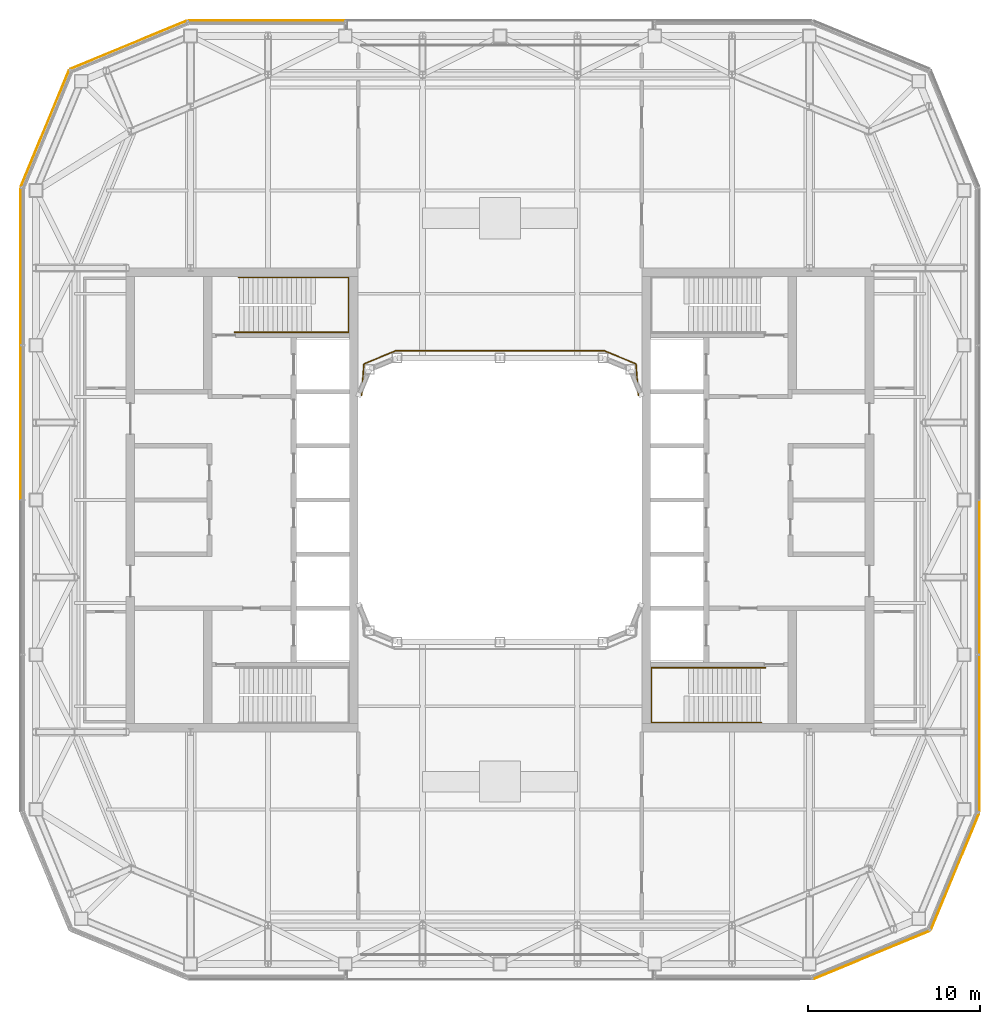
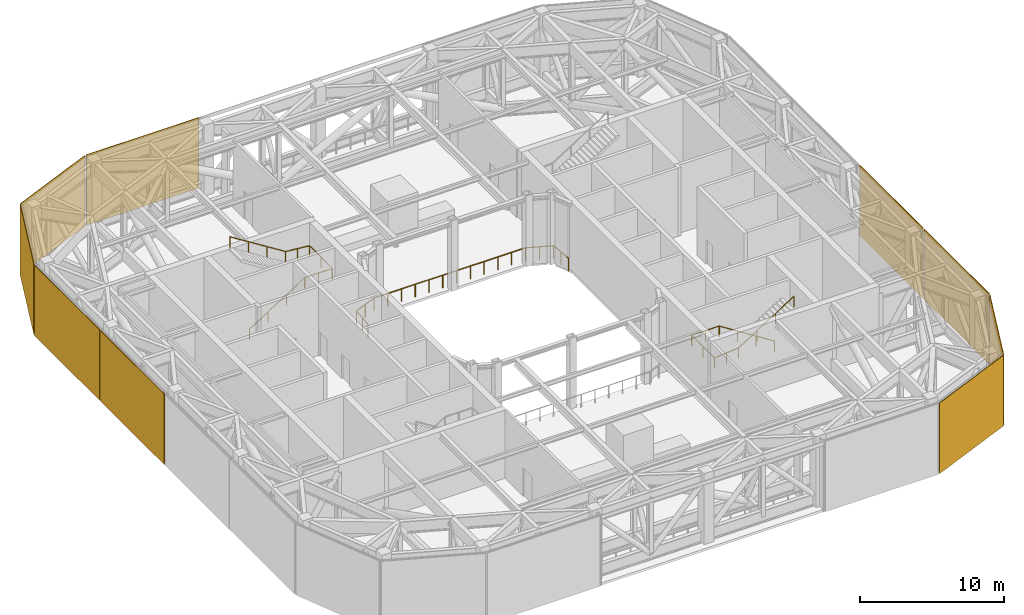
# One storey, part 19 of 21: 9 coverings, 3 railings.
"""IFC4 building model written with IfcOpenShell, lengths in metres."""

from ifc_helpers import new_model, si_unit, direction, frame, origin, origin_2d, place, context, subcontext, project, spatial, rectangle, circle, extrude, material, layer, layer_set, type_object, element, save


model = new_model("IFC4")

# Units and contexts
model_context = context("Model", 3, precision=1e-05, world=origin(), true_north=direction((0.0, 1.0)))
body_context = subcontext(model_context, "Body", "Model", "MODEL_VIEW")
ifc_project = project(units=[si_unit("LENGTHUNIT", "METRE"), si_unit("AREAUNIT", "SQUARE_METRE"), si_unit("VOLUMEUNIT", "CUBIC_METRE"), si_unit("PLANEANGLEUNIT", "RADIAN"), si_unit("MASSUNIT", "GRAM", prefix="KILO")], contexts=[model_context])

# Site, building, storey
site_placement = place(None, origin())
site = spatial("IfcSite", under=ifc_project, at=site_placement, CompositionType="ELEMENT")
building_placement = place(site_placement, origin())
building = spatial("IfcBuilding", under=site, at=building_placement, Name="Siwar Civic Tower", CompositionType="ELEMENT")
storey_placement = place(building_placement, frame((0.0, 0.0, 278.199951171875)))
storey = spatial("IfcBuildingStorey", under=building, at=storey_placement, Name="L60", CompositionType="ELEMENT", Elevation=278.199951171875)

# Railings
ifc_material_1 = material(Name="Stainless steel", Category="steel")
railing_type_1 = type_object("IfcRailingType", Name="CORE-STAIR-HANDRAIL", PredefinedType="HANDRAIL", material=ifc_material_1)
railing_1_placement = place(storey_placement, frame((-15.449951171875, 9.758056640625, 0.176513671875)))
element("IfcRailing", 1, at=railing_1_placement, inside=storey, type_object=railing_type_1, Name="Stair handrail ST1", PredefinedType="HANDRAIL", context=body_context, shape_type="SweptSolid", body=[
    extrude(circle(Radius=0.02001953125, at=origin_2d()), frame((0.0, 0.0, 0.8798828125), z_axis=(0.843278542751, 0.0, 0.537476789579), x_axis=(0.0, 1.0, 0.0)), (0.0, 0.0, 1.0), 5.253173828125),
    extrude(circle(Radius=0.02001953125, at=origin_2d()), frame((4.429931640625, 0.0, 3.703369140625), z_axis=(1.0, 0.0, 0.0), x_axis=(0.0, 1.0, 0.0)), (0.0, 0.0, 1.0), 2.2119140625),
    extrude(circle(Radius=0.02001953125, at=origin_2d()), frame((6.641845703125, 0.0, 3.703369140625), z_axis=(0.0, 1.0, 0.0), x_axis=(-1.0, 0.0, 0.0)), (0.0, 0.0, 1.0), 3.183837890625),
    extrude(circle(Radius=0.02001953125, at=origin_2d()), frame((6.641845703125, 3.183837890625, 3.703369140625), z_axis=(-0.995765067396, 0.0, 0.091934381781), x_axis=(0.0, -1.0, 0.0)), (0.0, 0.0, 1.0), 1.919921875),
    extrude(circle(Radius=0.02001953125, at=origin_2d()), frame((4.72998046875, 3.183837890625, 3.8798828125), z_axis=(-0.845997938375, 0.0, 0.533186166611), x_axis=(0.0, -1.0, 0.0)), (0.0, 0.0, 1.0), 5.29541015625),
    extrude(circle(Radius=0.02001953125, at=origin_2d()), origin(), (0.0, 0.0, 1.0), 0.85986328125),
    extrude(circle(Radius=0.02001953125, at=origin_2d()), frame((1.4765625, 0.0, 0.941162109375)), (0.0, 0.0, 1.0), 0.85986328125),
    extrude(circle(Radius=0.02001953125, at=origin_2d()), frame((2.953369140625, 0.0, 1.88232421875)), (0.0, 0.0, 1.0), 0.85986328125),
    extrude(circle(Radius=0.02001953125, at=origin_2d()), frame((4.429931640625, 0.0, 2.823486328125)), (0.0, 0.0, 1.0), 0.85986328125),
    extrude(circle(Radius=0.02001953125, at=origin_2d()), frame((5.535888671875, 0.0, 2.823486328125)), (0.0, 0.0, 1.0), 0.85986328125),
    extrude(circle(Radius=0.02001953125, at=origin_2d()), frame((6.641845703125, 0.0, 2.823486328125)), (0.0, 0.0, 1.0), 0.85986328125),
    extrude(circle(Radius=0.02001953125, at=origin_2d()), frame((6.641845703125, 1.591796875, 2.823486328125)), (0.0, 0.0, 1.0), 0.85986328125),
    extrude(circle(Radius=0.02001953125, at=origin_2d()), frame((6.641845703125, 3.183837890625, 2.823486328125)), (0.0, 0.0, 1.0), 0.85986328125),
    extrude(circle(Radius=0.02001953125, at=origin_2d()), frame((5.68603515625, 3.183837890625, 2.91162109375)), (0.0, 0.0, 1.0), 0.85986328125),
    extrude(circle(Radius=0.02001953125, at=origin_2d()), frame((4.72998046875, 3.183837890625, 3.0)), (0.0, 0.0, 1.0), 0.85986328125),
    extrude(circle(Radius=0.02001953125, at=origin_2d()), frame((3.236572265625, 3.183837890625, 3.941162109375)), (0.0, 0.0, 1.0), 0.85986328125),
    extrude(circle(Radius=0.02001953125, at=origin_2d()), frame((1.743408203125, 3.183837890625, 4.88232421875)), (0.0, 0.0, 1.0), 0.85986328125),
    extrude(circle(Radius=0.02001953125, at=origin_2d()), frame((0.25, 3.183837890625, 5.823486328125)), (0.0, 0.0, 1.0), 0.85986328125),
])
railing_2_placement = place(storey_placement, frame((15.449951171875, -9.758056640625, 0.176513671875)))
element("IfcRailing", 2, at=railing_2_placement, inside=storey, type_object=railing_type_1, Name="Stair handrail ST4", PredefinedType="HANDRAIL", context=body_context, shape_type="SweptSolid", body=[
    extrude(circle(Radius=0.02001953125, at=origin_2d()), frame((0.0, 0.0, 0.8798828125), z_axis=(-0.843278542751, 0.0, 0.537476789579), x_axis=(0.0, -1.0, 0.0)), (0.0, 0.0, 1.0), 5.253173828125),
    extrude(circle(Radius=0.02001953125, at=origin_2d()), frame((-4.429931640625, 0.0, 3.703369140625), z_axis=(-1.0, 0.0, 0.0), x_axis=(0.0, -1.0, 0.0)), (0.0, 0.0, 1.0), 2.2119140625),
    extrude(circle(Radius=0.02001953125, at=origin_2d()), frame((-6.641845703125, 0.0, 3.703369140625), z_axis=(0.0, -1.0, 0.0), x_axis=(1.0, 0.0, 0.0)), (0.0, 0.0, 1.0), 3.183837890625),
    extrude(circle(Radius=0.02001953125, at=origin_2d()), frame((-6.641845703125, -3.183837890625, 3.703369140625), z_axis=(0.995765067396, 0.0, 0.091934381781), x_axis=(0.0, 1.0, 0.0)), (0.0, 0.0, 1.0), 1.919921875),
    extrude(circle(Radius=0.02001953125, at=origin_2d()), frame((-4.72998046875, -3.183837890625, 3.8798828125), z_axis=(0.845997938375, 0.0, 0.533186166611), x_axis=(0.0, 1.0, 0.0)), (0.0, 0.0, 1.0), 5.29541015625),
    extrude(circle(Radius=0.02001953125, at=origin_2d()), origin(), (0.0, 0.0, 1.0), 0.85986328125),
    extrude(circle(Radius=0.02001953125, at=origin_2d()), frame((-1.4765625, 0.0, 0.941162109375)), (0.0, 0.0, 1.0), 0.85986328125),
    extrude(circle(Radius=0.02001953125, at=origin_2d()), frame((-2.953369140625, 0.0, 1.88232421875)), (0.0, 0.0, 1.0), 0.85986328125),
    extrude(circle(Radius=0.02001953125, at=origin_2d()), frame((-4.429931640625, 0.0, 2.823486328125)), (0.0, 0.0, 1.0), 0.85986328125),
    extrude(circle(Radius=0.02001953125, at=origin_2d()), frame((-5.535888671875, 0.0, 2.823486328125)), (0.0, 0.0, 1.0), 0.85986328125),
    extrude(circle(Radius=0.02001953125, at=origin_2d()), frame((-6.641845703125, 0.0, 2.823486328125)), (0.0, 0.0, 1.0), 0.85986328125),
    extrude(circle(Radius=0.02001953125, at=origin_2d()), frame((-6.641845703125, -1.591796875, 2.823486328125)), (0.0, 0.0, 1.0), 0.85986328125),
    extrude(circle(Radius=0.02001953125, at=origin_2d()), frame((-6.641845703125, -3.183837890625, 2.823486328125)), (0.0, 0.0, 1.0), 0.85986328125),
    extrude(circle(Radius=0.02001953125, at=origin_2d()), frame((-5.68603515625, -3.183837890625, 2.91162109375)), (0.0, 0.0, 1.0), 0.85986328125),
    extrude(circle(Radius=0.02001953125, at=origin_2d()), frame((-4.72998046875, -3.183837890625, 3.0)), (0.0, 0.0, 1.0), 0.85986328125),
    extrude(circle(Radius=0.02001953125, at=origin_2d()), frame((-3.236572265625, -3.183837890625, 3.941162109375)), (0.0, 0.0, 1.0), 0.85986328125),
    extrude(circle(Radius=0.02001953125, at=origin_2d()), frame((-1.743408203125, -3.183837890625, 4.88232421875)), (0.0, 0.0, 1.0), 0.85986328125),
    extrude(circle(Radius=0.02001953125, at=origin_2d()), frame((-0.25, -3.183837890625, 5.823486328125)), (0.0, 0.0, 1.0), 0.85986328125),
])
ifc_material_2 = material(Name="Stainless steel 316", Category="steel")
railing_type_2 = type_object("IfcRailingType", Name="ENV-GUARD-ROOF", PredefinedType="GUARDRAIL", material=ifc_material_2)
railing_3_placement = place(storey_placement, frame((8.050048828125, 6.08447265625, 0.0)))
element("IfcRailing", 3, at=railing_3_placement, inside=storey, type_object=railing_type_2, Name="Sky portal guard N well edge", PredefinedType="GUARDRAIL", context=body_context, shape_type="SweptSolid", body=[
    extrude(circle(Radius=0.02392578125, at=origin_2d()), frame((0.0, 0.0, 1.076171875), z_axis=(-0.072843419612, 0.997343389319, 0.0), x_axis=(-0.997343389319, -0.072843419612, 0.0)), (0.0, 0.0, 1.0), 1.836669921875),
    extrude(circle(Radius=0.02392578125, at=origin_2d()), frame((-0.1337890625, 1.831787109375, 1.076171875), z_axis=(-0.923872756612, 0.382699790424, 0.0), x_axis=(-0.382699790424, -0.923872756612, 0.0)), (0.0, 0.0, 1.0), 1.982666015625),
    extrude(circle(Radius=0.02392578125, at=origin_2d()), frame((-1.965576171875, 2.590576171875, 1.076171875), z_axis=(-1.0, 0.0, 0.0), x_axis=(0.0, -1.0, 0.0)), (0.0, 0.0, 1.0), 12.1689453125),
    extrude(circle(Radius=0.02392578125, at=origin_2d()), frame((-14.134521484375, 2.590576171875, 1.076171875), z_axis=(-0.923872756612, -0.382699790424, 0.0), x_axis=(0.382699790424, -0.923872756612, 0.0)), (0.0, 0.0, 1.0), 1.982666015625),
    extrude(circle(Radius=0.02392578125, at=origin_2d()), frame((-15.96630859375, 1.831787109375, 1.076171875), z_axis=(-0.072843419612, -0.997343389319, 0.0), x_axis=(0.997343389319, -0.072843419612, 0.0)), (0.0, 0.0, 1.0), 1.836669921875),
    extrude(circle(Radius=0.02099609375, at=origin_2d()), origin(), (0.0, 0.0, 1.0), 1.052001953125),
    extrude(circle(Radius=0.02099609375, at=origin_2d()), frame((-0.06689453125, 0.916015625, 0.0)), (0.0, 0.0, 1.0), 1.052001953125),
    extrude(circle(Radius=0.02099609375, at=origin_2d()), frame((-0.1337890625, 1.831787109375, 0.0)), (0.0, 0.0, 1.0), 1.052001953125),
    extrude(circle(Radius=0.02099609375, at=origin_2d()), frame((-1.0498046875, 2.211181640625, 0.0)), (0.0, 0.0, 1.0), 1.052001953125),
    extrude(circle(Radius=0.02099609375, at=origin_2d()), frame((-1.965576171875, 2.590576171875, 0.0)), (0.0, 0.0, 1.0), 1.052001953125),
    extrude(circle(Radius=0.02099609375, at=origin_2d()), frame((-3.07177734375, 2.590576171875, 0.0)), (0.0, 0.0, 1.0), 1.052001953125),
    extrude(circle(Radius=0.02099609375, at=origin_2d()), frame((-4.17822265625, 2.590576171875, 0.0)), (0.0, 0.0, 1.0), 1.052001953125),
    extrude(circle(Radius=0.02099609375, at=origin_2d()), frame((-5.284423828125, 2.590576171875, 0.0)), (0.0, 0.0, 1.0), 1.052001953125),
    extrude(circle(Radius=0.02099609375, at=origin_2d()), frame((-6.390625, 2.590576171875, 0.0)), (0.0, 0.0, 1.0), 1.052001953125),
    extrude(circle(Radius=0.02099609375, at=origin_2d()), frame((-7.496826171875, 2.590576171875, 0.0)), (0.0, 0.0, 1.0), 1.052001953125),
    extrude(circle(Radius=0.02099609375, at=origin_2d()), frame((-8.603271484375, 2.590576171875, 0.0)), (0.0, 0.0, 1.0), 1.052001953125),
    extrude(circle(Radius=0.02099609375, at=origin_2d()), frame((-9.70947265625, 2.590576171875, 0.0)), (0.0, 0.0, 1.0), 1.052001953125),
    extrude(circle(Radius=0.02099609375, at=origin_2d()), frame((-10.815673828125, 2.590576171875, 0.0)), (0.0, 0.0, 1.0), 1.052001953125),
    extrude(circle(Radius=0.02099609375, at=origin_2d()), frame((-11.921875, 2.590576171875, 0.0)), (0.0, 0.0, 1.0), 1.052001953125),
    extrude(circle(Radius=0.02099609375, at=origin_2d()), frame((-13.0283203125, 2.590576171875, 0.0)), (0.0, 0.0, 1.0), 1.052001953125),
    extrude(circle(Radius=0.02099609375, at=origin_2d()), frame((-14.134521484375, 2.590576171875, 0.0)), (0.0, 0.0, 1.0), 1.052001953125),
    extrude(circle(Radius=0.02099609375, at=origin_2d()), frame((-15.05029296875, 2.211181640625, 0.0)), (0.0, 0.0, 1.0), 1.052001953125),
    extrude(circle(Radius=0.02099609375, at=origin_2d()), frame((-15.96630859375, 1.831787109375, 0.0)), (0.0, 0.0, 1.0), 1.052001953125),
    extrude(circle(Radius=0.02099609375, at=origin_2d()), frame((-16.033203125, 0.916015625, 0.0)), (0.0, 0.0, 1.0), 1.052001953125),
    extrude(circle(Radius=0.02099609375, at=origin_2d()), frame((-16.10009765625, 0.0, 0.0)), (0.0, 0.0, 1.0), 1.052001953125),
])

# Coverings
ifc_material_3 = material(Name="Perforated aluminium cassette, pale metal", Category="aluminium")
ifc_layer_1 = layer(ifc_material_3, 0.0400390625)
ifc_layer_set_1 = layer_set([ifc_layer_1], Name="Perforated aluminium cassette, pale metal")
covering_type_1 = type_object("IfcCoveringType", Name="ENV-OUTER SKIN OS-1", PredefinedType="CLADDING", material=ifc_layer_set_1)
covering_1_placement = place(storey_placement, frame((27.89990234375, -13.57958984375, -0.199951171875), z_axis=(0.0, 0.0, 1.0), x_axis=(0.0, 1.0, 0.0)))
element("IfcCovering", 4, at=covering_1_placement, inside=storey, type_object=covering_type_1, Name="OUTER SKIN OS-1 E 1", PredefinedType="CLADDING", context=body_context, shape_type="SweptSolid", body=[
    extrude(rectangle(XDim=9.05908203125, YDim=0.0400390625, at=origin_2d()), origin(), (0.0, 0.0, 1.0), 6.0),
])
covering_2_placement = place(storey_placement, frame((27.89990234375, -4.5, -0.199951171875), z_axis=(0.0, 0.0, 1.0), x_axis=(0.0, 1.0, 0.0)))
element("IfcCovering", 5, at=covering_2_placement, inside=storey, type_object=covering_type_1, Name="OUTER SKIN OS-1 E 2", PredefinedType="CLADDING", context=body_context, shape_type="SweptSolid", body=[
    extrude(rectangle(XDim=8.89990234375, YDim=0.0400390625, at=origin_2d()), origin(), (0.0, 0.0, 1.0), 6.0),
])
covering_3_placement = place(storey_placement, frame((-13.57958984375, 27.89990234375, -0.199951171875), z_axis=(0.0, 0.0, 1.0), x_axis=(-1.0, 0.0, 0.0)))
element("IfcCovering", 6, at=covering_3_placement, inside=storey, type_object=covering_type_1, Name="OUTER SKIN OS-1 N 4", PredefinedType="CLADDING", context=body_context, shape_type="SweptSolid", body=[
    extrude(rectangle(XDim=9.05908203125, YDim=0.0400390625, at=origin_2d()), origin(), (0.0, 0.0, 1.0), 6.0),
])
covering_4_placement = place(storey_placement, frame((-21.615966796875, 26.476318359375, -0.199951171875), z_axis=(0.0, 0.0, 1.0), x_axis=(-0.923879532511, -0.382683432365, 0.0)))
element("IfcCovering", 7, at=covering_4_placement, inside=storey, type_object=covering_type_1, Name="OUTER SKIN OS-1 NW1 1", PredefinedType="CLADDING", context=body_context, shape_type="SweptSolid", body=[
    extrude(rectangle(XDim=7.300048828125, YDim=0.0400390625, at=origin_2d()), origin(), (0.0, 0.0, 1.0), 6.0),
])
ifc_material_4 = material(Name="Perforated aluminium cassette, pale metal", Category="aluminium")
ifc_layer_2 = layer(ifc_material_4, 0.044921875)
ifc_layer_set_2 = layer_set([ifc_layer_2], Name="Perforated aluminium cassette, pale metal")
covering_type_2 = type_object("IfcCoveringType", Name="ENV-OUTER SKIN OS-2", PredefinedType="CLADDING", material=ifc_layer_set_2)
for number, where, z_axis, x_axis, name in (
    (8, (26.476318359375, -21.615966796875, -0.199951171875), (0.0, 0.0, 1.0), (0.382683432365, 0.923879532511, 0.0), "OUTER SKIN OS-2 SE2 1"),
    (9, (-26.476318359375, 21.615966796875, -0.199951171875), (0.0, 0.0, 1.0), (-0.382683432365, -0.923879532511, 0.0), "OUTER SKIN OS-2 NW2 1"),
):
    element("IfcCovering", number, at=place(storey_placement, frame(where, z_axis=z_axis, x_axis=x_axis)), inside=storey, type_object=covering_type_2, Name=name, PredefinedType="CLADDING", context=body_context, shape_type="SweptSolid", body=[
        extrude(rectangle(XDim=7.300048828125, YDim=0.044921875, at=origin_2d()), origin(), (0.0, 0.0, 1.0), 6.0),
    ])
ifc_material_5 = material(Name="Perforated aluminium cassette, pale metal", Category="aluminium")
ifc_layer_3 = layer(ifc_material_5, 0.050048828125)
ifc_layer_set_3 = layer_set([ifc_layer_3], Name="Perforated aluminium cassette, pale metal")
covering_type_3 = type_object("IfcCoveringType", Name="ENV-OUTER SKIN OS-3", PredefinedType="CLADDING", material=ifc_layer_set_3)
covering_5_placement = place(storey_placement, frame((21.615966796875, -26.476318359375, -0.199951171875), z_axis=(0.0, 0.0, 1.0), x_axis=(0.923879532511, 0.382683432365, 0.0)))
element("IfcCovering", 10, at=covering_5_placement, inside=storey, type_object=covering_type_3, Name="OUTER SKIN OS-3 SE1 1", PredefinedType="CLADDING", context=body_context, shape_type="SweptSolid", body=[
    extrude(rectangle(XDim=7.300048828125, YDim=0.050048828125, at=origin_2d()), origin(), (0.0, 0.0, 1.0), 6.0),
])
covering_6_placement = place(storey_placement, frame((-27.89990234375, 13.57958984375, -0.199951171875), z_axis=(0.0, 0.0, 1.0), x_axis=(0.0, -1.0, 0.0)))
element("IfcCovering", 11, at=covering_6_placement, inside=storey, type_object=covering_type_3, Name="OUTER SKIN OS-3 W 1", PredefinedType="CLADDING", context=body_context, shape_type="SweptSolid", body=[
    extrude(rectangle(XDim=9.05908203125, YDim=0.050048828125, at=origin_2d()), origin(), (0.0, 0.0, 1.0), 6.0),
])
covering_7_placement = place(storey_placement, frame((-27.89990234375, 4.5, -0.199951171875), z_axis=(0.0, 0.0, 1.0), x_axis=(0.0, -1.0, 0.0)))
element("IfcCovering", 12, at=covering_7_placement, inside=storey, type_object=covering_type_3, Name="OUTER SKIN OS-3 W 2", PredefinedType="CLADDING", context=body_context, shape_type="SweptSolid", body=[
    extrude(rectangle(XDim=8.89990234375, YDim=0.050048828125, at=origin_2d()), origin(), (0.0, 0.0, 1.0), 6.0),
])

save(model, "model.ifc")
